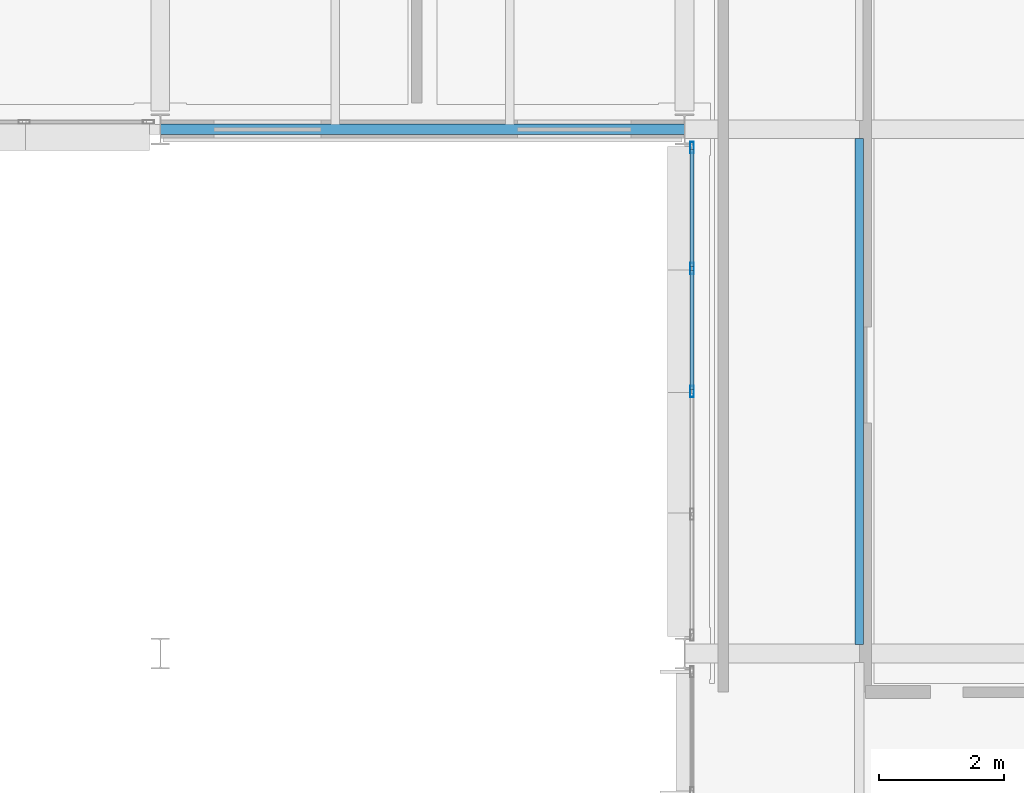
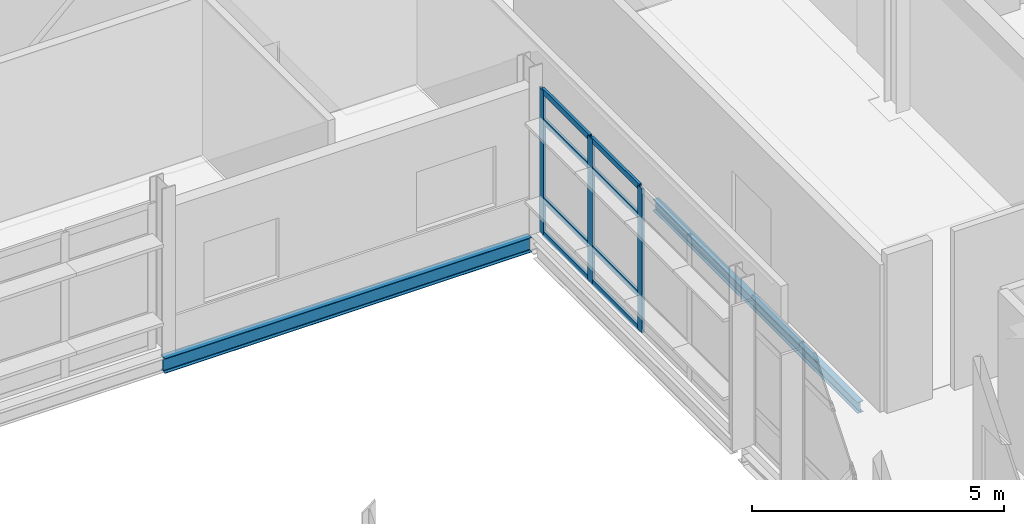
# One storey, part 103 of 151: 11 members, 2 beams, 1 element without a shape of its own.
"""IFC4 building model written with IfcOpenShell, lengths in metres."""

from ifc_helpers import new_model, si_unit, direction, frame, origin, origin_2d, place, context, subcontext, project, spatial, hollow_rectangle, i_section, extrude, material, material_profile, profile_set, type_object, element, aggregate, save


model = new_model("IFC4")

# Units and contexts
model_context = context("Model", 3, precision=1e-05, world=origin(), true_north=direction((0.0, 1.0)))
body_context = subcontext(model_context, "Body", "Model", "MODEL_VIEW")
ifc_project = project(units=[si_unit("LENGTHUNIT", "METRE"), si_unit("AREAUNIT", "SQUARE_METRE"), si_unit("VOLUMEUNIT", "CUBIC_METRE"), si_unit("PLANEANGLEUNIT", "RADIAN"), si_unit("MASSUNIT", "GRAM", prefix="KILO")], contexts=[model_context])

# Site, building, storey
site_placement = place(None, origin())
site = spatial("IfcSite", under=ifc_project, at=site_placement, CompositionType="ELEMENT")
building_placement = place(site_placement, origin())
building = spatial("IfcBuilding", under=site, at=building_placement, Name="Mersafa Astral City Hall", CompositionType="ELEMENT")
storey_placement = place(building_placement, frame((0.0, 0.0, 9.89990234375)))
storey = spatial("IfcBuildingStorey", under=building, at=storey_placement, Name="L02", CompositionType="ELEMENT", Elevation=9.89990234375)

# Curtain wall, members
ifc_material_1 = material(Name="Anodised bronze aluminium framing", Category="aluminium")
curtain_wall_type = type_object("IfcCurtainWallType", Name="ENV-CW-6", PredefinedType="USERDEFINED", material=ifc_material_1)
curtain_wall_placement = place(storey_placement, origin())
curtain_wall = element("IfcCurtainWall", 1, at=curtain_wall_placement, inside=storey, type_object=curtain_wall_type, Name="L02 Unitised solar curtain wall 119", ObjectType="UNITISED CURTAIN WALL", PredefinedType="USERDEFINED")
ifc_material_profile_1 = material_profile(ifc_material_1, hollow_rectangle(XDim=0.06005859375, YDim=0.179931640625, WallThickness=0.00390625, at=origin_2d()), Name="RHS 60x180x4")
ifc_profile_set_1 = profile_set([ifc_material_profile_1], Name="Anodised bronze aluminium framing")
member_type_1 = type_object("IfcMemberType", Name="ENV-CW-MUL-1", PredefinedType="MULLION", material=ifc_profile_set_1)
member_1_placement = place(storey_placement, frame((142.919921875, 117.30810546875, -0.001953125), z_axis=(0.0, 0.0, 1.0), x_axis=(1.0, 0.0, 0.0)))
member_1 = element("IfcMember", 2, at=member_1_placement, type_object=member_type_1, Name="CW-6 mullion 1", PredefinedType="MULLION", context=body_context, shape_type="SweptSolid", body=[
    extrude(hollow_rectangle(XDim=0.06005859375, YDim=0.179931640625, WallThickness=0.00390625, at=origin_2d()), origin(), (0.0, 0.0, 1.0), 3.489013671875),
])
member_2_placement = place(storey_placement, frame((142.919921875, 115.368896484375, -0.001953125), z_axis=(0.0, 0.0, 1.0), x_axis=(1.0, 0.0, 0.0)))
member_2 = element("IfcMember", 3, at=member_2_placement, type_object=member_type_1, Name="CW-6 mullion 2", PredefinedType="MULLION", context=body_context, shape_type="SweptSolid", body=[
    extrude(hollow_rectangle(XDim=0.06005859375, YDim=0.179931640625, WallThickness=0.00390625, at=origin_2d()), origin(), (0.0, 0.0, 1.0), 3.489013671875),
])
member_3_placement = place(storey_placement, frame((142.919921875, 113.39990234375, -0.001953125), z_axis=(0.0, 0.0, 1.0), x_axis=(1.0, 0.0, 0.0)))
member_3 = element("IfcMember", 4, at=member_3_placement, type_object=member_type_1, Name="CW-6 mullion 3", PredefinedType="MULLION", context=body_context, shape_type="SweptSolid", body=[
    extrude(hollow_rectangle(XDim=0.06005859375, YDim=0.179931640625, WallThickness=0.00390625, at=origin_2d()), origin(), (0.0, 0.0, 1.0), 3.489013671875),
])
ifc_material_profile_2 = material_profile(ifc_material_1, hollow_rectangle(XDim=0.06005859375, YDim=0.139892578125, WallThickness=0.00390625, at=origin_2d()), Name="RHS 60x140x4")
ifc_profile_set_2 = profile_set([ifc_material_profile_2], Name="Anodised bronze aluminium framing")
member_type_2 = type_object("IfcMemberType", Name="ENV-CW-TRN-1", PredefinedType="USERDEFINED", material=ifc_profile_set_2)
member_4_placement = place(storey_placement, frame((142.919921875, 117.278076171875, 0.028076171875), z_axis=(0.0, -1.0, 0.0), x_axis=(1.0, 0.0, 0.0)))
member_4 = element("IfcMember", 5, at=member_4_placement, type_object=member_type_2, Name="CW-6 transom 1.1", ObjectType="TRANSOM", PredefinedType="USERDEFINED", context=body_context, shape_type="SweptSolid", body=[
    extrude(hollow_rectangle(XDim=0.06005859375, YDim=0.139892578125, WallThickness=0.00390625, at=origin_2d()), origin(), (0.0, 0.0, 1.0), 1.879150390625),
])
member_5_placement = place(storey_placement, frame((142.919921875, 117.278076171875, 0.85009765625), z_axis=(0.0, -1.0, 0.0), x_axis=(1.0, 0.0, 0.0)))
member_5 = element("IfcMember", 6, at=member_5_placement, type_object=member_type_2, Name="CW-6 transom 1.2", ObjectType="TRANSOM", PredefinedType="USERDEFINED", context=body_context, shape_type="SweptSolid", body=[
    extrude(hollow_rectangle(XDim=0.06005859375, YDim=0.139892578125, WallThickness=0.00390625, at=origin_2d()), origin(), (0.0, 0.0, 1.0), 1.879150390625),
])
member_6_placement = place(storey_placement, frame((142.919921875, 117.278076171875, 2.75), z_axis=(0.0, -1.0, 0.0), x_axis=(1.0, 0.0, 0.0)))
member_6 = element("IfcMember", 7, at=member_6_placement, type_object=member_type_2, Name="CW-6 transom 1.3", ObjectType="TRANSOM", PredefinedType="USERDEFINED", context=body_context, shape_type="SweptSolid", body=[
    extrude(hollow_rectangle(XDim=0.06005859375, YDim=0.139892578125, WallThickness=0.00390625, at=origin_2d()), origin(), (0.0, 0.0, 1.0), 1.879150390625),
])
member_7_placement = place(storey_placement, frame((142.919921875, 117.278076171875, 3.45703125), z_axis=(0.0, -1.0, 0.0), x_axis=(1.0, 0.0, 0.0)))
member_7 = element("IfcMember", 8, at=member_7_placement, type_object=member_type_2, Name="CW-6 transom 1.4", ObjectType="TRANSOM", PredefinedType="USERDEFINED", context=body_context, shape_type="SweptSolid", body=[
    extrude(hollow_rectangle(XDim=0.06005859375, YDim=0.139892578125, WallThickness=0.00390625, at=origin_2d()), origin(), (0.0, 0.0, 1.0), 1.879150390625),
])
member_8_placement = place(storey_placement, frame((142.919921875, 115.339111328125, 0.028076171875), z_axis=(0.0, -1.0, 0.0), x_axis=(1.0, 0.0, 0.0)))
member_8 = element("IfcMember", 9, at=member_8_placement, type_object=member_type_2, Name="CW-6 transom 2.1", ObjectType="TRANSOM", PredefinedType="USERDEFINED", context=body_context, shape_type="SweptSolid", body=[
    extrude(hollow_rectangle(XDim=0.06005859375, YDim=0.139892578125, WallThickness=0.00390625, at=origin_2d()), origin(), (0.0, 0.0, 1.0), 1.9091796875),
])
member_9_placement = place(storey_placement, frame((142.919921875, 115.339111328125, 0.85009765625), z_axis=(0.0, -1.0, 0.0), x_axis=(1.0, 0.0, 0.0)))
member_9 = element("IfcMember", 10, at=member_9_placement, type_object=member_type_2, Name="CW-6 transom 2.2", ObjectType="TRANSOM", PredefinedType="USERDEFINED", context=body_context, shape_type="SweptSolid", body=[
    extrude(hollow_rectangle(XDim=0.06005859375, YDim=0.139892578125, WallThickness=0.00390625, at=origin_2d()), origin(), (0.0, 0.0, 1.0), 1.9091796875),
])
member_10_placement = place(storey_placement, frame((142.919921875, 115.339111328125, 2.75), z_axis=(0.0, -1.0, 0.0), x_axis=(1.0, 0.0, 0.0)))
member_10 = element("IfcMember", 11, at=member_10_placement, type_object=member_type_2, Name="CW-6 transom 2.3", ObjectType="TRANSOM", PredefinedType="USERDEFINED", context=body_context, shape_type="SweptSolid", body=[
    extrude(hollow_rectangle(XDim=0.06005859375, YDim=0.139892578125, WallThickness=0.00390625, at=origin_2d()), origin(), (0.0, 0.0, 1.0), 1.9091796875),
])
member_11_placement = place(storey_placement, frame((142.919921875, 115.339111328125, 3.45703125), z_axis=(0.0, -1.0, 0.0), x_axis=(1.0, 0.0, 0.0)))
member_11 = element("IfcMember", 12, at=member_11_placement, type_object=member_type_2, Name="CW-6 transom 2.4", ObjectType="TRANSOM", PredefinedType="USERDEFINED", context=body_context, shape_type="SweptSolid", body=[
    extrude(hollow_rectangle(XDim=0.06005859375, YDim=0.139892578125, WallThickness=0.00390625, at=origin_2d()), origin(), (0.0, 0.0, 1.0), 1.9091796875),
])
aggregate(curtain_wall, [member_1, member_2, member_3, member_4, member_5, member_6, member_7, member_8, member_9, member_10, member_11])

# Beams
ifc_material_2 = material(Name="Steel S355", Category="steel")
ifc_material_profile_3 = material_profile(ifc_material_2, i_section(OverallWidth=0.135009765625, OverallDepth=0.27001953125, WebThickness=0.006591796875, FlangeThickness=0.01025390625, FilletRadius=0.014892578125, at=origin_2d()), Name="IPE 270")
ifc_profile_set_3 = profile_set([ifc_material_profile_3], Name="Steel S355")
beam_type_1 = type_object("IfcBeamType", Name="STR-BM-JOIST-IPE270", PredefinedType="JOIST", material=ifc_profile_set_3)
beam_1_placement = place(storey_placement, frame((145.60009765625, 109.344970703125, -0.3349609375), z_axis=(0.0, 1.0, 0.0), x_axis=(-1.0, 0.0, 0.0)))
element("IfcBeam", 13, at=beam_1_placement, inside=storey, type_object=beam_type_1, Name="L02 Composite secondary floor joist 516", PredefinedType="JOIST", context=body_context, shape_type="SweptSolid", body=[
    extrude(i_section(OverallWidth=0.135009765625, OverallDepth=0.27001953125, WebThickness=0.006591796875, FlangeThickness=0.01025390625, FilletRadius=0.014892578125, at=origin_2d()), origin(), (0.0, 0.0, 1.0), 8.110107421875),
])
ifc_material_profile_4 = material_profile(ifc_material_2, i_section(OverallWidth=0.169921875, OverallDepth=0.360107421875, WebThickness=0.008056640625, FlangeThickness=0.0126953125, FilletRadius=0.01806640625, at=origin_2d()), Name="IPE 360")
ifc_profile_set_4 = profile_set([ifc_material_profile_4], Name="Steel S355")
beam_type_2 = type_object("IfcBeamType", Name="STR-BM-SPANDREL-IPE360", PredefinedType="SPANDREL", material=ifc_profile_set_4)
beam_2_placement = place(storey_placement, frame((134.403076171875, 117.60009765625, -0.3798828125), z_axis=(1.0, 0.0, 0.0), x_axis=(0.0, 1.0, 0.0)))
element("IfcBeam", 14, at=beam_2_placement, inside=storey, type_object=beam_type_2, Name="L02 Primary girder X 16-14", PredefinedType="SPANDREL", context=body_context, shape_type="SweptSolid", body=[
    extrude(i_section(OverallWidth=0.169921875, OverallDepth=0.360107421875, WebThickness=0.008056640625, FlangeThickness=0.0126953125, FilletRadius=0.01806640625, at=origin_2d()), origin(), (0.0, 0.0, 1.0), 8.39404296875),
])

save(model, "model.ifc")
